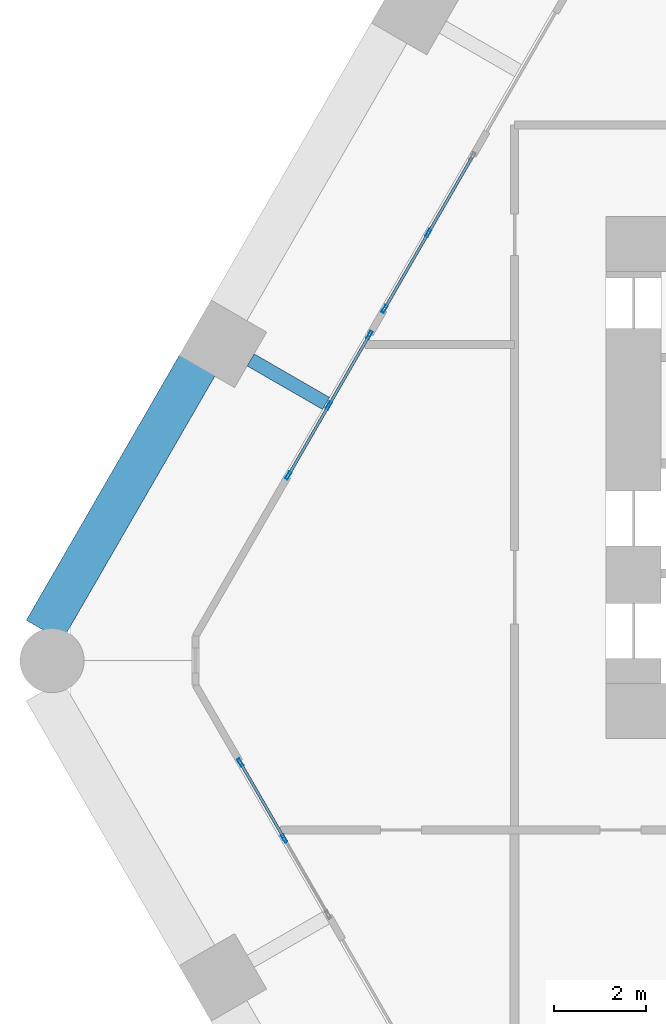
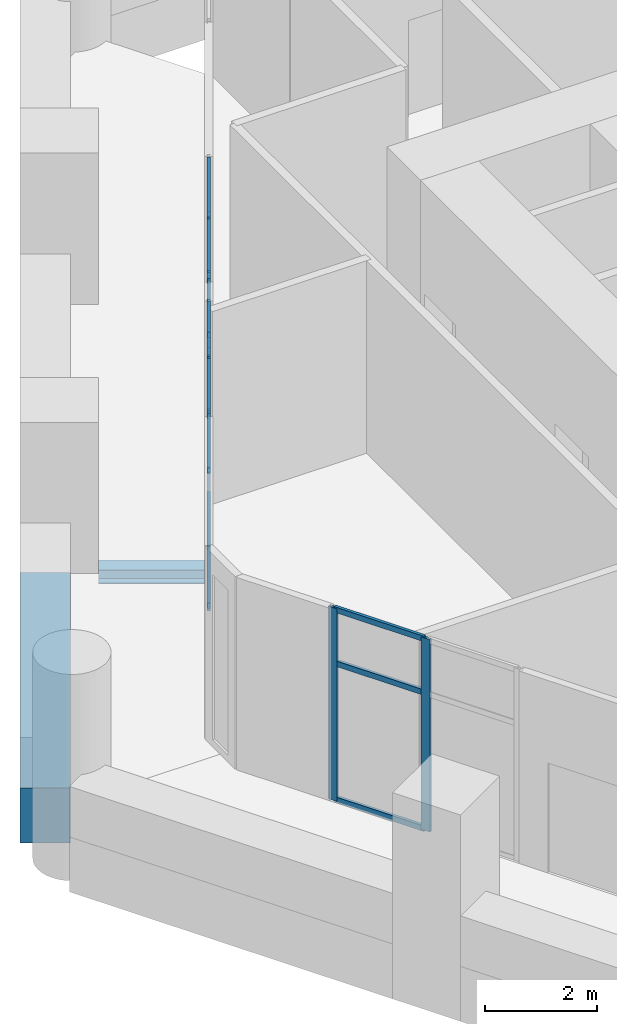
# One storey, part 5 of 18: 22 members, 2 beams, 3 elements without a shape of their own.
"""IFC4 building model written with IfcOpenShell, lengths in metres."""

from ifc_helpers import new_model, si_unit, direction, frame, origin, origin_2d, place, context, subcontext, project, spatial, rectangle, hollow_rectangle, i_section, extrude, material, material_profile, profile_set, type_object, element, aggregate, save


model = new_model("IFC4")

# Units and contexts
model_context = context("Model", 3, precision=1e-05, world=origin(), true_north=direction((0.0, 1.0)))
body_context = subcontext(model_context, "Body", "Model", "MODEL_VIEW")
ifc_project = project(units=[si_unit("LENGTHUNIT", "METRE"), si_unit("AREAUNIT", "SQUARE_METRE"), si_unit("VOLUMEUNIT", "CUBIC_METRE"), si_unit("PLANEANGLEUNIT", "RADIAN"), si_unit("MASSUNIT", "GRAM", prefix="KILO")], contexts=[model_context])

# Site, building, storey
site_placement = place(None, origin())
site = spatial("IfcSite", under=ifc_project, at=site_placement, CompositionType="ELEMENT")
building_placement = place(site_placement, origin())
building = spatial("IfcBuilding", under=site, at=building_placement, Name="Ostrander Bayou Hotel Tower", CompositionType="ELEMENT")
storey_placement = place(building_placement, frame((0.0, 0.0, 14.5)))
storey = spatial("IfcBuildingStorey", under=building, at=storey_placement, Name="L03", CompositionType="ELEMENT", Elevation=14.5)

# Curtain wall, members
ifc_material_1 = material(Name="Aluminium and clear glass", Category="aluminium")
curtain_wall_type = type_object("IfcCurtainWallType", Name="CW-SKY amenity glass wall", PredefinedType="NOTDEFINED", material=ifc_material_1)
curtain_wall_1_placement = place(storey_placement, origin())
curtain_wall_1 = element("IfcCurtainWall", 1, at=curtain_wall_1_placement, inside=storey, type_object=curtain_wall_type, Name="CW-SKY L03 NW 3", PredefinedType="NOTDEFINED")
ifc_material_2 = material(Name="Aluminium", Category="aluminium")
ifc_material_profile_1 = material_profile(ifc_material_2, hollow_rectangle(XDim=0.06005859375, YDim=0.179931640625, WallThickness=0.00390625, at=origin_2d()))
ifc_profile_set_1 = profile_set([ifc_material_profile_1], Name="Aluminium")
member_type_1 = type_object("IfcMemberType", Name="CW-SK mullion 60 x 180 mm", PredefinedType="MULLION", material=ifc_profile_set_1)
member_1_placement = place(storey_placement, frame((-15.881591796875, 9.342529296875, 0.0), z_axis=(0.0, 0.0, 1.0), x_axis=(0.866025463091, -0.499999897278, 0.0)))
member_1 = element("IfcMember", 2, at=member_1_placement, type_object=member_type_1, Name="CW-SKY mullion 2", PredefinedType="MULLION", context=body_context, shape_type="SweptSolid", body=[
    extrude(hollow_rectangle(XDim=0.06005859375, YDim=0.179931640625, WallThickness=0.00390625, at=origin_2d()), origin(), (0.0, 0.0, 1.0), 4.199951171875),
])
member_2_placement = place(storey_placement, frame((-16.841552734375, 7.6796875, 0.0), z_axis=(0.0, 0.0, 1.0), x_axis=(0.866025463091, -0.499999897278, 0.0)))
member_2 = element("IfcMember", 3, at=member_2_placement, type_object=member_type_1, Name="CW-SKY mullion 3", PredefinedType="MULLION", context=body_context, shape_type="SweptSolid", body=[
    extrude(hollow_rectangle(XDim=0.06005859375, YDim=0.179931640625, WallThickness=0.00390625, at=origin_2d()), origin(), (0.0, 0.0, 1.0), 4.199951171875),
])

curtain_wall_2_placement = place(storey_placement, origin())
curtain_wall_2 = element("IfcCurtainWall", 4, at=curtain_wall_2_placement, inside=storey, type_object=curtain_wall_type, Name="CW-SKY L03 NW 4", PredefinedType="NOTDEFINED")
member_3_placement = place(storey_placement, frame((-17.17138671875, 7.10791015625, 0.0), z_axis=(0.0, 0.0, 1.0), x_axis=(0.866025997283, -0.499998972029, 0.0)))
member_3 = element("IfcMember", 5, at=member_3_placement, type_object=member_type_1, Name="CW-SKY mullion 1", PredefinedType="MULLION", context=body_context, shape_type="SweptSolid", body=[
    extrude(hollow_rectangle(XDim=0.06005859375, YDim=0.179931640625, WallThickness=0.00390625, at=origin_2d()), origin(), (0.0, 0.0, 1.0), 4.199951171875),
])
member_4_placement = place(storey_placement, frame((-18.056396484375, 5.5751953125, 0.0), z_axis=(0.0, 0.0, 1.0), x_axis=(0.866025997283, -0.499998972029, 0.0)))
member_4 = element("IfcMember", 6, at=member_4_placement, type_object=member_type_1, Name="CW-SKY mullion 2", PredefinedType="MULLION", context=body_context, shape_type="SweptSolid", body=[
    extrude(hollow_rectangle(XDim=0.06005859375, YDim=0.179931640625, WallThickness=0.00390625, at=origin_2d()), origin(), (0.0, 0.0, 1.0), 4.199951171875),
])
member_5_placement = place(storey_placement, frame((-18.94140625, 4.042236328125, 0.0), z_axis=(0.0, 0.0, 1.0), x_axis=(0.866025997283, -0.499998972029, 0.0)))
member_5 = element("IfcMember", 7, at=member_5_placement, type_object=member_type_1, Name="CW-SKY mullion 3", PredefinedType="MULLION", context=body_context, shape_type="SweptSolid", body=[
    extrude(hollow_rectangle(XDim=0.06005859375, YDim=0.179931640625, WallThickness=0.00390625, at=origin_2d()), origin(), (0.0, 0.0, 1.0), 4.199951171875),
])

curtain_wall_3_placement = place(storey_placement, origin())
curtain_wall_3 = element("IfcCurtainWall", 8, at=curtain_wall_3_placement, inside=storey, type_object=curtain_wall_type, Name="CW-SKY L03 SW 1", PredefinedType="NOTDEFINED")
member_6_placement = place(storey_placement, frame((-19.991455078125, -2.2236328125, 0.0), z_axis=(0.0, 0.0, 1.0), x_axis=(0.866025463091, 0.499999897278, 0.0)))
member_6 = element("IfcMember", 9, at=member_6_placement, type_object=member_type_1, Name="CW-SKY mullion 1", PredefinedType="MULLION", context=body_context, shape_type="SweptSolid", body=[
    extrude(hollow_rectangle(XDim=0.06005859375, YDim=0.179931640625, WallThickness=0.00390625, at=origin_2d()), origin(), (0.0, 0.0, 1.0), 4.199951171875),
])
member_7_placement = place(storey_placement, frame((-19.031494140625, -3.886474609375, 0.0), z_axis=(0.0, 0.0, 1.0), x_axis=(0.866025463091, 0.499999897278, 0.0)))
member_7 = element("IfcMember", 10, at=member_7_placement, type_object=member_type_1, Name="CW-SKY mullion 2", PredefinedType="MULLION", context=body_context, shape_type="SweptSolid", body=[
    extrude(hollow_rectangle(XDim=0.06005859375, YDim=0.179931640625, WallThickness=0.00390625, at=origin_2d()), origin(), (0.0, 0.0, 1.0), 4.199951171875),
])

# Member
ifc_material_3 = material(Name="Aluminium", Category="aluminium")
ifc_material_profile_2 = material_profile(ifc_material_3, hollow_rectangle(XDim=0.06005859375, YDim=0.1201171875, WallThickness=0.00390625, at=origin_2d()))
ifc_profile_set_2 = profile_set([ifc_material_profile_2], Name="Aluminium")
member_type_2 = type_object("IfcMemberType", Name="CW-SK transom 60 x 120 mm", PredefinedType="USERDEFINED", material=ifc_profile_set_2)
member_8_placement = place(storey_placement, frame((-14.9365234375, 10.979248046875, 0.030029296875), z_axis=(-0.499964847546, -0.866045698112, 0.0), x_axis=(0.866045698112, -0.499964847546, 0.0)))
member_8 = element("IfcMember", 11, at=member_8_placement, type_object=member_type_2, Name="CW-SKY transom 1.1", ObjectType="TRANSOM", PredefinedType="USERDEFINED", context=body_context, shape_type="SweptSolid", body=[
    extrude(hollow_rectangle(XDim=0.06005859375, YDim=0.1201171875, WallThickness=0.00390625, at=origin_2d()), origin(), (0.0, 0.0, 1.0), 1.860107421875),
])

member_9_placement = place(storey_placement, frame((-14.9365234375, 10.979248046875, 3.0), z_axis=(-0.499964847546, -0.866045698112, 0.0), x_axis=(0.866045698112, -0.499964847546, 0.0)))
member_9 = element("IfcMember", 12, at=member_9_placement, type_object=member_type_2, Name="CW-SKY transom 1.2", ObjectType="TRANSOM", PredefinedType="USERDEFINED", context=body_context, shape_type="SweptSolid", body=[
    extrude(hollow_rectangle(XDim=0.06005859375, YDim=0.1201171875, WallThickness=0.00390625, at=origin_2d()), origin(), (0.0, 0.0, 1.0), 1.860107421875),
])

member_10_placement = place(storey_placement, frame((-14.9365234375, 10.979248046875, 4.169921875), z_axis=(-0.499964847546, -0.866045698112, 0.0), x_axis=(0.866045698112, -0.499964847546, 0.0)))
member_10 = element("IfcMember", 13, at=member_10_placement, type_object=member_type_2, Name="CW-SKY transom 1.3", ObjectType="TRANSOM", PredefinedType="USERDEFINED", context=body_context, shape_type="SweptSolid", body=[
    extrude(hollow_rectangle(XDim=0.06005859375, YDim=0.1201171875, WallThickness=0.00390625, at=origin_2d()), origin(), (0.0, 0.0, 1.0), 1.860107421875),
])

member_11_placement = place(storey_placement, frame((-15.896484375, 9.31640625, 0.030029296875), z_axis=(-0.499964847546, -0.866045698112, 0.0), x_axis=(0.866045698112, -0.499964847546, 0.0)))
member_11 = element("IfcMember", 14, at=member_11_placement, type_object=member_type_2, Name="CW-SKY transom 2.1", ObjectType="TRANSOM", PredefinedType="USERDEFINED", context=body_context, shape_type="SweptSolid", body=[
    extrude(hollow_rectangle(XDim=0.06005859375, YDim=0.1201171875, WallThickness=0.00390625, at=origin_2d()), origin(), (0.0, 0.0, 1.0), 1.860107421875),
])

member_12_placement = place(storey_placement, frame((-15.896484375, 9.31640625, 3.0), z_axis=(-0.499964847546, -0.866045698112, 0.0), x_axis=(0.866045698112, -0.499964847546, 0.0)))
member_12 = element("IfcMember", 15, at=member_12_placement, type_object=member_type_2, Name="CW-SKY transom 2.2", ObjectType="TRANSOM", PredefinedType="USERDEFINED", context=body_context, shape_type="SweptSolid", body=[
    extrude(hollow_rectangle(XDim=0.06005859375, YDim=0.1201171875, WallThickness=0.00390625, at=origin_2d()), origin(), (0.0, 0.0, 1.0), 1.860107421875),
])

member_13_placement = place(storey_placement, frame((-15.896484375, 9.31640625, 4.169921875), z_axis=(-0.499964847546, -0.866045698112, 0.0), x_axis=(0.866045698112, -0.499964847546, 0.0)))
member_13 = element("IfcMember", 16, at=member_13_placement, type_object=member_type_2, Name="CW-SKY transom 2.3", ObjectType="TRANSOM", PredefinedType="USERDEFINED", context=body_context, shape_type="SweptSolid", body=[
    extrude(hollow_rectangle(XDim=0.06005859375, YDim=0.1201171875, WallThickness=0.00390625, at=origin_2d()), origin(), (0.0, 0.0, 1.0), 1.860107421875),
])

aggregate(curtain_wall_1, [member_1, member_2, member_8, member_9, member_10, member_11, member_12, member_13])

member_14_placement = place(storey_placement, frame((-17.1865234375, 7.08203125, 0.030029296875), z_axis=(-0.499977863513, -0.866038183914, 0.0), x_axis=(0.866038183914, -0.499977863513, 0.0)))
member_14 = element("IfcMember", 17, at=member_14_placement, type_object=member_type_2, Name="CW-SKY transom 1.1", ObjectType="TRANSOM", PredefinedType="USERDEFINED", context=body_context, shape_type="SweptSolid", body=[
    extrude(hollow_rectangle(XDim=0.06005859375, YDim=0.1201171875, WallThickness=0.00390625, at=origin_2d()), origin(), (0.0, 0.0, 1.0), 1.7099609375),
])

member_15_placement = place(storey_placement, frame((-17.1865234375, 7.08203125, 3.0), z_axis=(-0.499977863513, -0.866038183914, 0.0), x_axis=(0.866038183914, -0.499977863513, 0.0)))
member_15 = element("IfcMember", 18, at=member_15_placement, type_object=member_type_2, Name="CW-SKY transom 1.2", ObjectType="TRANSOM", PredefinedType="USERDEFINED", context=body_context, shape_type="SweptSolid", body=[
    extrude(hollow_rectangle(XDim=0.06005859375, YDim=0.1201171875, WallThickness=0.00390625, at=origin_2d()), origin(), (0.0, 0.0, 1.0), 1.7099609375),
])

member_16_placement = place(storey_placement, frame((-17.1865234375, 7.08203125, 4.169921875), z_axis=(-0.499977863513, -0.866038183914, 0.0), x_axis=(0.866038183914, -0.499977863513, 0.0)))
member_16 = element("IfcMember", 19, at=member_16_placement, type_object=member_type_2, Name="CW-SKY transom 1.3", ObjectType="TRANSOM", PredefinedType="USERDEFINED", context=body_context, shape_type="SweptSolid", body=[
    extrude(hollow_rectangle(XDim=0.06005859375, YDim=0.1201171875, WallThickness=0.00390625, at=origin_2d()), origin(), (0.0, 0.0, 1.0), 1.7099609375),
])

member_17_placement = place(storey_placement, frame((-18.071533203125, 5.549072265625, 0.030029296875), z_axis=(-0.500039688951, -0.866002488145, 0.0), x_axis=(0.866002488145, -0.500039688951, 0.0)))
member_17 = element("IfcMember", 20, at=member_17_placement, type_object=member_type_2, Name="CW-SKY transom 2.1", ObjectType="TRANSOM", PredefinedType="USERDEFINED", context=body_context, shape_type="SweptSolid", body=[
    extrude(hollow_rectangle(XDim=0.06005859375, YDim=0.1201171875, WallThickness=0.00390625, at=origin_2d()), origin(), (0.0, 0.0, 1.0), 1.709716796875),
])

member_18_placement = place(storey_placement, frame((-18.071533203125, 5.549072265625, 3.0), z_axis=(-0.500039688951, -0.866002488145, 0.0), x_axis=(0.866002488145, -0.500039688951, 0.0)))
member_18 = element("IfcMember", 21, at=member_18_placement, type_object=member_type_2, Name="CW-SKY transom 2.2", ObjectType="TRANSOM", PredefinedType="USERDEFINED", context=body_context, shape_type="SweptSolid", body=[
    extrude(hollow_rectangle(XDim=0.06005859375, YDim=0.1201171875, WallThickness=0.00390625, at=origin_2d()), origin(), (0.0, 0.0, 1.0), 1.709716796875),
])

member_19_placement = place(storey_placement, frame((-18.071533203125, 5.549072265625, 4.169921875), z_axis=(-0.500039688951, -0.866002488145, 0.0), x_axis=(0.866002488145, -0.500039688951, 0.0)))
member_19 = element("IfcMember", 22, at=member_19_placement, type_object=member_type_2, Name="CW-SKY transom 2.3", ObjectType="TRANSOM", PredefinedType="USERDEFINED", context=body_context, shape_type="SweptSolid", body=[
    extrude(hollow_rectangle(XDim=0.06005859375, YDim=0.1201171875, WallThickness=0.00390625, at=origin_2d()), origin(), (0.0, 0.0, 1.0), 1.709716796875),
])

aggregate(curtain_wall_2, [member_3, member_4, member_5, member_14, member_15, member_16, member_17, member_18, member_19])

member_20_placement = place(storey_placement, frame((-19.9765625, -2.249755859375, 0.030029296875), z_axis=(0.50012012977, -0.86595603572, 0.0), x_axis=(0.86595603572, 0.50012012977, 0.0)))
member_20 = element("IfcMember", 23, at=member_20_placement, type_object=member_type_2, Name="CW-SKY transom 1.1", ObjectType="TRANSOM", PredefinedType="USERDEFINED", context=body_context, shape_type="SweptSolid", body=[
    extrude(hollow_rectangle(XDim=0.06005859375, YDim=0.1201171875, WallThickness=0.00390625, at=origin_2d()), origin(), (0.0, 0.0, 1.0), 1.85986328125),
])

member_21_placement = place(storey_placement, frame((-19.9765625, -2.249755859375, 3.0), z_axis=(0.50012012977, -0.86595603572, 0.0), x_axis=(0.86595603572, 0.50012012977, 0.0)))
member_21 = element("IfcMember", 24, at=member_21_placement, type_object=member_type_2, Name="CW-SKY transom 1.2", ObjectType="TRANSOM", PredefinedType="USERDEFINED", context=body_context, shape_type="SweptSolid", body=[
    extrude(hollow_rectangle(XDim=0.06005859375, YDim=0.1201171875, WallThickness=0.00390625, at=origin_2d()), origin(), (0.0, 0.0, 1.0), 1.85986328125),
])

member_22_placement = place(storey_placement, frame((-19.9765625, -2.249755859375, 4.169921875), z_axis=(0.50012012977, -0.86595603572, 0.0), x_axis=(0.86595603572, 0.50012012977, 0.0)))
member_22 = element("IfcMember", 25, at=member_22_placement, type_object=member_type_2, Name="CW-SKY transom 1.3", ObjectType="TRANSOM", PredefinedType="USERDEFINED", context=body_context, shape_type="SweptSolid", body=[
    extrude(hollow_rectangle(XDim=0.06005859375, YDim=0.1201171875, WallThickness=0.00390625, at=origin_2d()), origin(), (0.0, 0.0, 1.0), 1.85986328125),
])

aggregate(curtain_wall_3, [member_6, member_7, member_20, member_21, member_22])

# Beams
ifc_material_4 = material(Name="Steel ASTM A992", Category="steel")
ifc_material_profile_3 = material_profile(ifc_material_4, i_section(OverallWidth=0.3046875, OverallDepth=0.307861328125, WebThickness=0.010009765625, FlangeThickness=0.015380859375, at=origin_2d()))
ifc_profile_set_3 = profile_set([ifc_material_profile_3], Name="Steel ASTM A992")
beam_type_1 = type_object("IfcBeamType", Name="LB1 loggia bracket W12x65", PredefinedType="BEAM", material=ifc_profile_set_3)
beam_1_placement = place(storey_placement, frame((-19.7646484375, 6.566650390625, -0.453857421875), z_axis=(0.866044365799, -0.499967155389, 0.0), x_axis=(0.499967155389, 0.866044365799, 0.0)))
element("IfcBeam", 26, at=beam_1_placement, inside=storey, type_object=beam_type_1, Name="LB1 L03 NW2", PredefinedType="BEAM", context=body_context, shape_type="SweptSolid", body=[
    extrude(i_section(OverallWidth=0.3046875, OverallDepth=0.307861328125, WebThickness=0.010009765625, FlangeThickness=0.015380859375, at=origin_2d()), origin(), (0.0, 0.0, 1.0), 1.900146484375),
])
ifc_material_5 = material(Name="Concrete f'c 70 MPa", Category="concrete")
ifc_material_profile_4 = material_profile(ifc_material_5, rectangle(XDim=0.89990234375, YDim=1.199951171875, at=origin_2d()))
ifc_profile_set_4 = profile_set([ifc_material_profile_4], Name="Concrete f'c 70 MPa")
beam_type_2 = type_object("IfcBeamType", Name="SP1 spandrel beam 900 x 1200 mm f'c 70 MPa", PredefinedType="SPANDREL", material=ifc_profile_set_4)
beam_2_placement = place(storey_placement, frame((-20.92236328125, 6.46142578125, -0.60009765625), z_axis=(-0.500005133765, -0.866022439784, 0.0), x_axis=(0.866022439784, -0.500005133765, 0.0)))
element("IfcBeam", 27, at=beam_2_placement, inside=storey, type_object=beam_type_2, Name="SP1 L03 NW-3", PredefinedType="SPANDREL", context=body_context, shape_type="SweptSolid", body=[
    extrude(rectangle(XDim=0.89990234375, YDim=1.199951171875, at=origin_2d()), origin(), (0.0, 0.0, 1.0), 6.70361328125),
])

save(model, "model.ifc")
